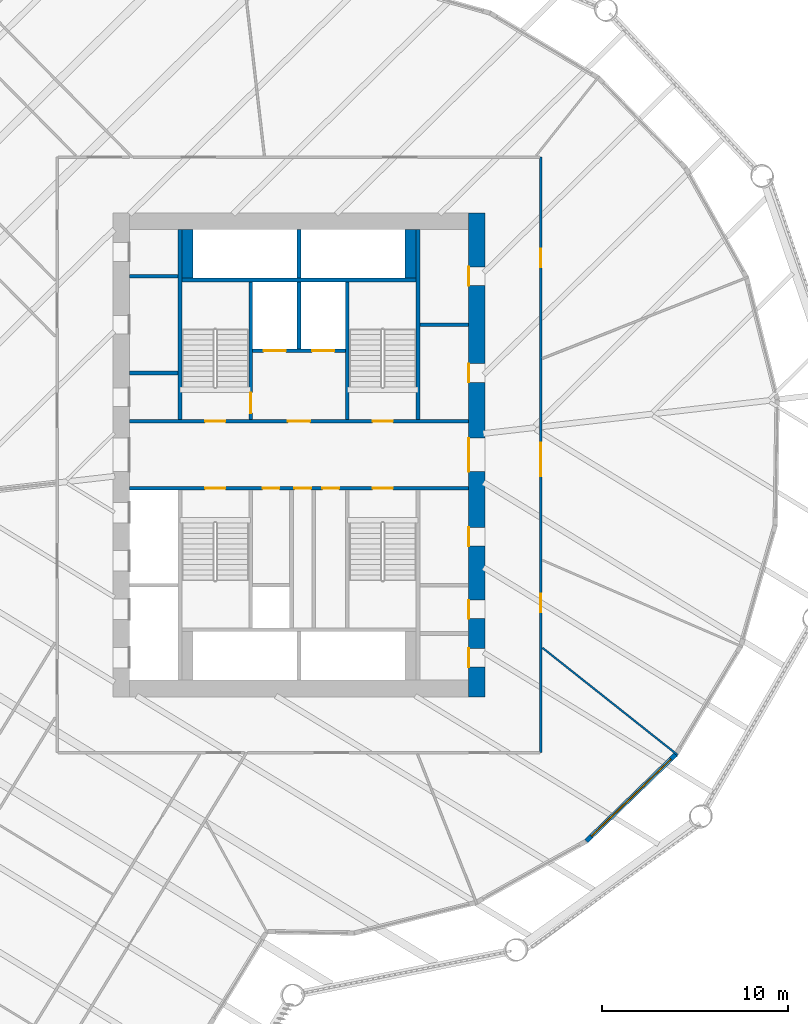
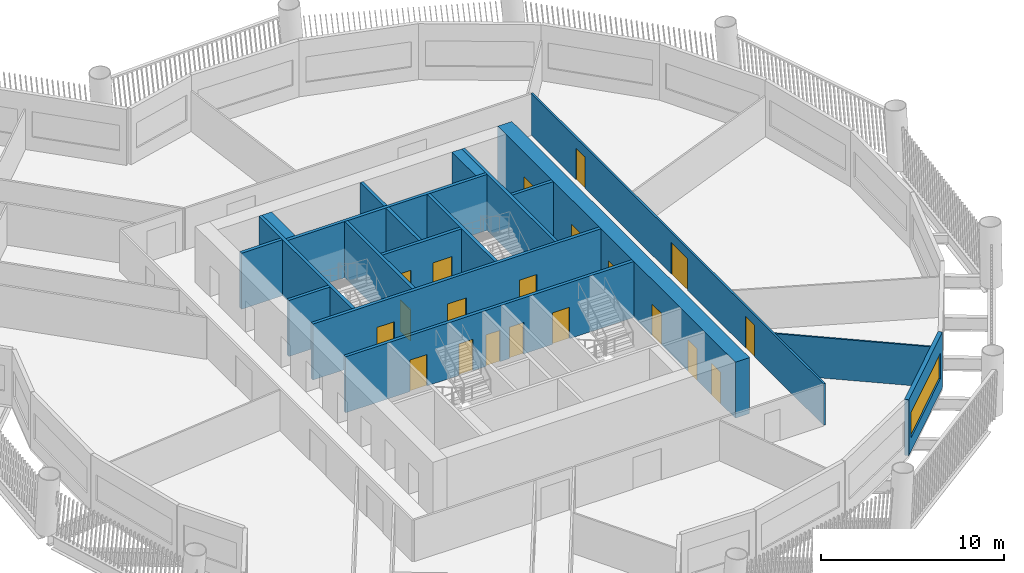
# One storey, part 5 of 15: 20 doors, 19 walls, 1 window, 21 openings.
"""IFC4 building model written with IfcOpenShell, lengths in metres."""

import ifcopenshell
import ifcopenshell.guid

model = None  # the IFC model being written
_history = None  # IfcOwnerHistory: only IFC2X3 demands one
_inside = {}  # id of a spatial element -> (the spatial element, [elements in it])
_under = {}  # id of a project, library or spatial element -> (it, [spatial elements below it])
_declared = {}  # id of a project -> (the project, [libraries it declares])
_typed = {}  # id of a type object -> (the type object, [elements of that type])
_made_of = {}  # id of a material, layer set ... -> (it, [elements and type objects made of it])


def new_model(schema):
    """Start an empty IFC model of exactly this schema.

    Asked for "IFC4X3", IfcOpenShell would pick the latest addendum, in which some entities
    have other attributes; the version numbers below select the first issue.
    IFC2X3 requires an IfcOwnerHistory on every rooted entity: one is made here for all.
    """
    global model, _history
    if schema == "IFC4X3":
        model = ifcopenshell.file(schema_version=(4, 3, 0, 0))
    else:
        model = ifcopenshell.file(schema=schema)
    _inside.clear()
    _under.clear()
    _declared.clear()
    _typed.clear()
    _made_of.clear()
    _history = None
    if model.schema == "IFC2X3":
        org = make("IfcOrganization", Name="unknown")
        user = make(
            "IfcPersonAndOrganization",
            ThePerson=make("IfcPerson", FamilyName="unknown"),
            TheOrganization=org,
        )
        app = make(
            "IfcApplication",
            ApplicationDeveloper=org,
            Version="unknown",
            ApplicationFullName="unknown",
            ApplicationIdentifier="unknown",
        )
        _history = make(
            "IfcOwnerHistory",
            OwningUser=user,
            OwningApplication=app,
            ChangeAction="ADDED",
            CreationDate=0,
        )
    return model


def make(cls, **values):
    """One entity of the class cls with the attributes given. An attribute that is None is left unset."""
    return model.create_entity(
        cls, **{name: value for name, value in values.items() if value is not None}
    )


def rooted(cls, **values):
    """An entity with a GlobalId (a new one), such as an element, a storey or a relation."""
    return make(cls, GlobalId=ifcopenshell.guid.new(), OwnerHistory=_history, **values)


def si_unit(unit_type, name, prefix=None):
    """IfcSIUnit, for example si_unit("LENGTHUNIT", "METRE", prefix="MILLI")."""
    return make("IfcSIUnit", UnitType=unit_type, Prefix=prefix, Name=name)


def assignment(units):
    """IfcUnitAssignment: the units of a project."""
    return None if units is None else make("IfcUnitAssignment", Units=units)


def point(xyz):
    """IfcCartesianPoint."""
    return None if xyz is None else make("IfcCartesianPoint", Coordinates=xyz)


def direction(xyz):
    """IfcDirection."""
    return None if xyz is None else make("IfcDirection", DirectionRatios=xyz)


def frame(location, z_axis=None, x_axis=None):
    """IfcAxis2Placement3D, a coordinate frame: its origin and axes. An axis left out is left unset."""
    return make(
        "IfcAxis2Placement3D",
        Location=point(location),
        Axis=direction(z_axis),
        RefDirection=direction(x_axis),
    )


def frame_2d(location, x_axis=None):
    """IfcAxis2Placement2D, a coordinate frame in the plane: its origin and x axis."""
    return make(
        "IfcAxis2Placement2D", Location=point(location), RefDirection=direction(x_axis)
    )


def origin():
    """The frame at (0, 0, 0) with its axes left unset."""
    return frame((0.0, 0.0, 0.0))


def place(relative_to, where):
    """IfcLocalPlacement: puts the frame where relative to a parent placement (None: the world)."""
    return make(
        "IfcLocalPlacement", PlacementRelTo=relative_to, RelativePlacement=where
    )


def context(
    kind, dimensions, precision=None, world=None, true_north=None, identifier=None
):
    """IfcGeometricRepresentationContext, for example the 3D "Model" context."""
    return make(
        "IfcGeometricRepresentationContext",
        ContextIdentifier=identifier,
        ContextType=kind,
        CoordinateSpaceDimension=dimensions,
        Precision=precision,
        WorldCoordinateSystem=world,
        TrueNorth=true_north,
    )


def subcontext(parent, identifier, kind, view, scale=None):
    """IfcGeometricRepresentationSubContext, for example "Body" below "Model"."""
    return make(
        "IfcGeometricRepresentationSubContext",
        ContextIdentifier=identifier,
        ContextType=kind,
        ParentContext=parent,
        TargetScale=scale,
        TargetView=view,
    )


def project(units=None, contexts=None):
    """IfcProject with its units and contexts."""
    return rooted(
        "IfcProject",
        Name="project",
        RepresentationContexts=contexts,
        UnitsInContext=assignment(units),
    )


def spatial(cls, under=None, at=None, **own):
    """A site, building, storey or space (cls), placed at a placement, below another one or the project."""
    s = rooted(cls, ObjectPlacement=at, **own)
    if under is not None:
        _under.setdefault(under.id(), (under, []))[1].append(s)
    return s


def profile(cls, at=None, kind="AREA", **sizes):
    """A parametric profile (cls). Its sizes go by their IFC names, for example OverallWidth=200.0."""
    return make(cls, ProfileType=kind, Position=at, **sizes)


def rectangle(**sizes):
    """IfcRectangleProfileDef."""
    return profile("IfcRectangleProfileDef", **sizes)


def extrude(swept, where, along, depth):
    """IfcExtrudedAreaSolid: the profile swept, set in the frame where, extruded along a direction by depth."""
    return make(
        "IfcExtrudedAreaSolid",
        SweptArea=swept,
        Position=where,
        ExtrudedDirection=direction(along),
        Depth=depth,
    )


def shape(context_of_items, identifier, shape_type, items):
    """IfcShapeRepresentation: the items that make up one representation, for example the "Body"."""
    return make(
        "IfcShapeRepresentation",
        ContextOfItems=context_of_items,
        RepresentationIdentifier=identifier,
        RepresentationType=shape_type,
        Items=items,
    )


def material(Name=None, Category=None):
    """IfcMaterial."""
    return make("IfcMaterial", Name=Name, Category=Category)


def layer(
    of_material, thickness, ventilated=None, Name=None, Category=None, Priority=None
):
    """IfcMaterialLayer: one layer of a wall or slab, of a material (None: an air gap)."""
    return make(
        "IfcMaterialLayer",
        Material=of_material,
        LayerThickness=thickness,
        IsVentilated=ventilated,
        Name=Name,
        Category=Category,
        Priority=Priority,
    )


def layer_set(layers, Name=None):
    """IfcMaterialLayerSet."""
    return make("IfcMaterialLayerSet", MaterialLayers=layers, LayerSetName=Name)


def made_of(thing, what):
    """Note that an element or type object is made of a material, layer set ...; save() writes the relation."""
    if what is not None:
        _made_of.setdefault(what.id(), (what, []))[1].append(thing)
    return thing


def type_object(cls, material=None, **own):
    """A type object (cls), such as IfcWallType, which elements share."""
    return made_of(rooted(cls, **own), material)


def element(
    cls,
    number,
    at=None,
    inside=None,
    cuts=None,
    type_object=None,
    material=None,
    context=None,
    identifier="Body",
    shape_type=None,
    held_by="IfcProductDefinitionShape",
    body=None,
    shapes=None,
    **own,
):
    """One element of the class cls, such as IfcWall. Its Tag is "e" and its number.

    at: its placement. inside: the storey or other place that contains it. cuts: it is an
    opening in that element (IfcRelVoidsElement). A single representation is given by context,
    identifier, shape_type and body (its items); several are given by shapes. held_by: the class
    of the entity that holds the representations. save() writes the other relations.
    """
    e = rooted(cls, Tag="e%d" % number, ObjectPlacement=at, **own)
    if body is not None:
        shapes = [shape(context, identifier, shape_type, body)]
    if shapes is not None:
        e.Representation = make(held_by, Representations=shapes)
    if inside is not None:
        _inside.setdefault(inside.id(), (inside, []))[1].append(e)
    if cuts is not None:
        rooted(
            "IfcRelVoidsElement", RelatingBuildingElement=cuts, RelatedOpeningElement=e
        )
    if type_object is not None:
        _typed.setdefault(type_object.id(), (type_object, []))[1].append(e)
    return made_of(e, material)


def fill(opening, filler):
    """IfcRelFillsElement: the door or window that sits in an opening."""
    return rooted(
        "IfcRelFillsElement",
        RelatingOpeningElement=opening,
        RelatedBuildingElement=filler,
    )


def aggregate(whole, parts):
    """IfcRelAggregates: a whole, such as a stair, and the parts it consists of."""
    return rooted("IfcRelAggregates", RelatingObject=whole, RelatedObjects=parts)


def save(model, path):
    """Write the relations noted so far, then the file.

    IfcRelAggregates (storeys below a building ...), IfcRelContainedInSpatialStructure (elements
    in a storey), IfcRelDefinesByType, IfcRelAssociatesMaterial and IfcRelDeclares: one each for
    every whole, place, type object, material and project.
    """
    for whole, parts in _under.values():
        aggregate(whole, parts)
    for where, things in _inside.values():
        rooted(
            "IfcRelContainedInSpatialStructure",
            RelatedElements=things,
            RelatingStructure=where,
        )
    for kind, things in _typed.values():
        rooted("IfcRelDefinesByType", RelatedObjects=things, RelatingType=kind)
    for what, things in _made_of.values():
        rooted("IfcRelAssociatesMaterial", RelatedObjects=things, RelatingMaterial=what)
    for by, libraries in _declared.values():
        rooted("IfcRelDeclares", RelatingContext=by, RelatedDefinitions=libraries)
    model.write(path)


model = new_model("IFC4")

# Units and contexts
model_context = context("Model", 3, precision=1e-05, world=origin(), true_north=direction((0.0, 1.0)))
body_context = subcontext(model_context, "Body", "Model", "MODEL_VIEW")
ifc_project = project(units=[si_unit("LENGTHUNIT", "METRE"), si_unit("AREAUNIT", "SQUARE_METRE"), si_unit("VOLUMEUNIT", "CUBIC_METRE"), si_unit("PLANEANGLEUNIT", "RADIAN"), si_unit("MASSUNIT", "GRAM", prefix="KILO")], contexts=[model_context])

# Site, building, storey
site_placement = place(None, origin())
site = spatial("IfcSite", under=ifc_project, at=site_placement, CompositionType="ELEMENT")
building_placement = place(site_placement, origin())
building = spatial("IfcBuilding", under=site, at=building_placement, Name="Tarsis Ring Headquarters", CompositionType="ELEMENT")
storey_placement = place(building_placement, frame((0.0, 0.0, 75.10009765625)))
storey = spatial("IfcBuildingStorey", under=building, at=storey_placement, Name="L16", CompositionType="ELEMENT", Elevation=75.10009765625)

# Walls
ifc_material_1 = material(Name="Blockwork", Category="masonry")
ifc_layer_1 = layer(ifc_material_1, 0.199951171875)
ifc_layer_set_1 = layer_set([ifc_layer_1], Name="Core blockwork wall 200")
wall_type_1 = type_object("IfcWallType", Name="Core blockwork wall 200", PredefinedType="PARTITIONING", material=ifc_layer_set_1)
for number, where, z_axis, x_axis, name in (
    (1, (-9.10009765625, 4.39990234375, 0.0), (0.0, 0.0, 1.0), (1.0, 0.0, 0.0), "Core partition WD5"),
    (2, (-9.10009765625, 9.60009765625, 0.0), (0.0, 0.0, 1.0), (1.0, 0.0, 0.0), "Core partition WD7"),
    (3, (6.5, 7.0, 0.0), (0.0, 0.0, 1.0), (1.0, 0.0, 0.0), "Core partition ED6"),
):
    element("IfcWall", number, at=place(storey_placement, frame(where, z_axis=z_axis, x_axis=x_axis)), inside=storey, type_object=wall_type_1, Name=name, PredefinedType="PARTITIONING", context=body_context, shape_type="SweptSolid", body=[
        extrude(rectangle(XDim=2.60009765625, YDim=0.199951171875, at=frame_2d((1.300048828125, 0.0))), origin(), (0.0, 0.0, 1.0), 3.739990234375),
    ])

# Wall, openings, doors
ifc_material_2 = material(Name="Concrete C60/75", Category="concrete")
ifc_layer_2 = layer(ifc_material_2, 0.89990234375)
ifc_layer_set_2 = layer_set([ifc_layer_2], Name="Core wall 900 C60/75")
wall_type_2 = type_object("IfcWallType", Name="Core wall 900 C60/75", PredefinedType="SHEAR", material=ifc_layer_set_2)
wall_1_placement = place(storey_placement, frame((9.550048828125, -13.0, 0.0), z_axis=(0.0, 0.0, 1.0), x_axis=(0.0, 1.0, 0.0)))
wall_1 = element("IfcWall", 4, at=wall_1_placement, inside=storey, type_object=wall_type_2, Name="Core wall OE", PredefinedType="SHEAR", context=body_context, shape_type="SweptSolid", body=[
    extrude(rectangle(XDim=26.0, YDim=0.89990234375, at=frame_2d((13.0, 0.0))), origin(), (0.0, 0.0, 1.0), 3.739990234375),
])
opening_1_placement = place(wall_1_placement, frame((1.60009765625, 0.0, 0.0)))
opening_1 = element("IfcOpeningElement", 5, at=opening_1_placement, cuts=wall_1, Name="Opening L16-C09", PredefinedType="OPENING", context=body_context, shape_type="SweptSolid", body=[
    extrude(rectangle(XDim=1.0, YDim=2.10009765625, at=frame_2d((0.5, 1.050048828125))), frame((0.0, 0.4599609375, 0.0), z_axis=(0.0, -1.0, 0.0), x_axis=(1.0, 0.0, 0.0)), (0.0, 0.0, 1.0), 0.919921875),
])
opening_2_placement = place(wall_1_placement, frame((4.199951171875, 0.0, 0.0)))
opening_2 = element("IfcOpeningElement", 6, at=opening_2_placement, cuts=wall_1, Name="Opening L16-C10", PredefinedType="OPENING", context=body_context, shape_type="SweptSolid", body=[
    extrude(rectangle(XDim=1.0, YDim=2.10009765625, at=frame_2d((0.5, 1.050048828125))), frame((0.0, 0.4599609375, 0.0), z_axis=(0.0, -1.0, 0.0), x_axis=(1.0, 0.0, 0.0)), (0.0, 0.0, 1.0), 0.919921875),
])
opening_3_placement = place(wall_1_placement, frame((8.10009765625, 0.0, 0.0)))
opening_3 = element("IfcOpeningElement", 7, at=opening_3_placement, cuts=wall_1, Name="Opening L16-C11", PredefinedType="OPENING", context=body_context, shape_type="SweptSolid", body=[
    extrude(rectangle(XDim=1.0, YDim=2.10009765625, at=frame_2d((0.5, 1.050048828125))), frame((0.0, 0.4599609375, 0.0), z_axis=(0.0, -1.0, 0.0), x_axis=(1.0, 0.0, 0.0)), (0.0, 0.0, 1.0), 0.919921875),
])
opening_4_placement = place(wall_1_placement, frame((12.10009765625, 0.0, 0.0)))
opening_4 = element("IfcOpeningElement", 8, at=opening_4_placement, cuts=wall_1, Name="Opening L16-C12", PredefinedType="OPENING", context=body_context, shape_type="SweptSolid", body=[
    extrude(rectangle(XDim=1.800048828125, YDim=2.10009765625, at=frame_2d((0.89990234375, 1.050048828125))), frame((0.0, 0.4599609375, 0.0), z_axis=(0.0, -1.0, 0.0), x_axis=(1.0, 0.0, 0.0)), (0.0, 0.0, 1.0), 0.919921875),
])
opening_5_placement = place(wall_1_placement, frame((16.89990234375, 0.0, 0.0)))
opening_5 = element("IfcOpeningElement", 9, at=opening_5_placement, cuts=wall_1, Name="Opening L16-C13", PredefinedType="OPENING", context=body_context, shape_type="SweptSolid", body=[
    extrude(rectangle(XDim=1.0, YDim=2.10009765625, at=frame_2d((0.5, 1.050048828125))), frame((0.0, 0.4599609375, 0.0), z_axis=(0.0, -1.0, 0.0), x_axis=(1.0, 0.0, 0.0)), (0.0, 0.0, 1.0), 0.919921875),
])
opening_6_placement = place(wall_1_placement, frame((22.10009765625, 0.0, 0.0)))
opening_6 = element("IfcOpeningElement", 10, at=opening_6_placement, cuts=wall_1, Name="Opening L16-C14", PredefinedType="OPENING", context=body_context, shape_type="SweptSolid", body=[
    extrude(rectangle(XDim=1.0, YDim=2.10009765625, at=frame_2d((0.5, 1.050048828125))), frame((0.0, 0.4599609375, 0.0), z_axis=(0.0, -1.0, 0.0), x_axis=(1.0, 0.0, 0.0)), (0.0, 0.0, 1.0), 0.919921875),
])
ifc_material_3 = material(Name="Steel S355", Category="steel")
door_type_1 = type_object("IfcDoorType", Name="Core entry door 1800x2100", OperationType="DOUBLE_DOOR_SINGLE_SWING", PredefinedType="DOOR", material=ifc_material_3)
door_1_placement = place(opening_4_placement, origin())
door_1 = element("IfcDoor", 11, at=door_1_placement, inside=storey, type_object=door_type_1, Name="Core entry door L16", OperationType="DOUBLE_DOOR_SINGLE_SWING", OverallHeight=2.10009765625, OverallWidth=1.800048828125, PredefinedType="DOOR", context=body_context, shape_type="SweptSolid", body=[
    extrude(rectangle(XDim=1.800048828125, YDim=2.10009765625, at=frame_2d((0.89990234375, 1.050048828125))), frame((0.0, 0.4501953125, 0.0), z_axis=(0.0, -1.0, 0.0), x_axis=(1.0, 0.0, 0.0)), (0.0, 0.0, 1.0), 0.050048828125),
])
fill(opening_4, door_1)
door_type_2 = type_object("IfcDoorType", Name="Core room door 1000x2100", OperationType="SINGLE_SWING_LEFT", PredefinedType="DOOR", material=ifc_material_3)
door_2_placement = place(opening_1_placement, origin())
door_2 = element("IfcDoor", 12, at=door_2_placement, inside=storey, type_object=door_type_2, Name="Core room door L16", OperationType="SINGLE_SWING_LEFT", OverallHeight=2.10009765625, OverallWidth=1.0, PredefinedType="DOOR", context=body_context, shape_type="SweptSolid", body=[
    extrude(rectangle(XDim=1.0, YDim=2.10009765625, at=frame_2d((0.5, 1.050048828125))), frame((0.0, 0.4501953125, 0.0), z_axis=(0.0, -1.0, 0.0), x_axis=(1.0, 0.0, 0.0)), (0.0, 0.0, 1.0), 0.050048828125),
])
fill(opening_1, door_2)
door_3_placement = place(opening_2_placement, origin())
door_3 = element("IfcDoor", 13, at=door_3_placement, inside=storey, type_object=door_type_2, Name="Core room door L16", OperationType="SINGLE_SWING_LEFT", OverallHeight=2.10009765625, OverallWidth=1.0, PredefinedType="DOOR", context=body_context, shape_type="SweptSolid", body=[
    extrude(rectangle(XDim=1.0, YDim=2.10009765625, at=frame_2d((0.5, 1.050048828125))), frame((0.0, 0.4501953125, 0.0), z_axis=(0.0, -1.0, 0.0), x_axis=(1.0, 0.0, 0.0)), (0.0, 0.0, 1.0), 0.050048828125),
])
fill(opening_2, door_3)
door_4_placement = place(opening_3_placement, origin())
door_4 = element("IfcDoor", 14, at=door_4_placement, inside=storey, type_object=door_type_2, Name="Core room door L16", OperationType="SINGLE_SWING_LEFT", OverallHeight=2.10009765625, OverallWidth=1.0, PredefinedType="DOOR", context=body_context, shape_type="SweptSolid", body=[
    extrude(rectangle(XDim=1.0, YDim=2.10009765625, at=frame_2d((0.5, 1.050048828125))), frame((0.0, 0.4501953125, 0.0), z_axis=(0.0, -1.0, 0.0), x_axis=(1.0, 0.0, 0.0)), (0.0, 0.0, 1.0), 0.050048828125),
])
fill(opening_3, door_4)
door_5_placement = place(opening_5_placement, origin())
door_5 = element("IfcDoor", 15, at=door_5_placement, inside=storey, type_object=door_type_2, Name="Core room door L16", OperationType="SINGLE_SWING_LEFT", OverallHeight=2.10009765625, OverallWidth=1.0, PredefinedType="DOOR", context=body_context, shape_type="SweptSolid", body=[
    extrude(rectangle(XDim=1.0, YDim=2.10009765625, at=frame_2d((0.5, 1.050048828125))), frame((0.0, 0.4501953125, 0.0), z_axis=(0.0, -1.0, 0.0), x_axis=(1.0, 0.0, 0.0)), (0.0, 0.0, 1.0), 0.050048828125),
])
fill(opening_5, door_5)
door_6_placement = place(opening_6_placement, origin())
door_6 = element("IfcDoor", 16, at=door_6_placement, inside=storey, type_object=door_type_2, Name="Core room door L16", OperationType="SINGLE_SWING_LEFT", OverallHeight=2.10009765625, OverallWidth=1.0, PredefinedType="DOOR", context=body_context, shape_type="SweptSolid", body=[
    extrude(rectangle(XDim=1.0, YDim=2.10009765625, at=frame_2d((0.5, 1.050048828125))), frame((0.0, 0.4501953125, 0.0), z_axis=(0.0, -1.0, 0.0), x_axis=(1.0, 0.0, 0.0)), (0.0, 0.0, 1.0), 0.050048828125),
])
fill(opening_6, door_6)

# Wall
ifc_material_4 = material(Name="Gypsum board on steel studs", Category="steel")
ifc_layer_3 = layer(ifc_material_4, 0.10009765625)
ifc_layer_set_3 = layer_set([ifc_layer_3], Name="FL partition 100 unrated")
wall_type_3 = type_object("IfcWallType", Name="FL partition 100 unrated", PredefinedType="PARTITIONING", material=ifc_layer_set_3)
wall_2_placement = place(storey_placement, frame((13.086181640625, -10.3720703125, 0.0), z_axis=(0.0, 0.0, 1.0), x_axis=(0.783701027739, -0.621138228674, 0.0)))
element("IfcWall", 17, at=wall_2_placement, inside=storey, type_object=wall_type_3, Name="Partition PW3", PredefinedType="PARTITIONING", context=body_context, shape_type="SweptSolid", body=[
    extrude(rectangle(XDim=9.249755859375, YDim=0.10009765625, at=frame_2d((4.625, 0.0))), origin(), (0.0, 0.0, 1.0), 2.699951171875),
])

# Wall, openings, doors
ifc_layer_4 = layer(ifc_material_4, 0.125)
ifc_layer_set_4 = layer_set([ifc_layer_4], Name="FL partition 125 EI 60 H2770")
wall_type_4 = type_object("IfcWallType", Name="FL partition 125 EI 60 H2770", PredefinedType="PARTITIONING", material=ifc_layer_set_4)
wall_3_placement = place(storey_placement, frame((13.0, -16.0, 0.0), z_axis=(0.0, 0.0, 1.0), x_axis=(0.0, 1.0, 0.0)))
wall_3 = element("IfcWall", 18, at=wall_3_placement, inside=storey, type_object=wall_type_4, Name="Partition PW1", PredefinedType="PARTITIONING", context=body_context, shape_type="SweptSolid", body=[
    extrude(rectangle(XDim=32.0, YDim=0.125, at=frame_2d((16.0, 0.0))), origin(), (0.0, 0.0, 1.0), 2.77001953125),
])
opening_7_placement = place(wall_3_placement, frame((26.073486328125, 0.0, 0.0)))
opening_7 = element("IfcOpeningElement", 19, at=opening_7_placement, cuts=wall_3, Name="Opening D16.06", PredefinedType="OPENING", context=body_context, shape_type="SweptSolid", body=[
    extrude(rectangle(XDim=1.0, YDim=2.10009765625, at=frame_2d((0.5, 1.050048828125))), frame((0.0, 0.072509765625, 0.0), z_axis=(0.0, -1.0, 0.0), x_axis=(1.0, 0.0, 0.0)), (0.0, 0.0, 1.0), 0.14501953125),
])
opening_8_placement = place(wall_3_placement, frame((14.860595703125, 0.0, 0.0)))
opening_8 = element("IfcOpeningElement", 20, at=opening_8_placement, cuts=wall_3, Name="Opening D16.07", PredefinedType="OPENING", context=body_context, shape_type="SweptSolid", body=[
    extrude(rectangle(XDim=1.800048828125, YDim=2.10009765625, at=frame_2d((0.89990234375, 1.050048828125))), frame((0.0, 0.072509765625, 0.0), z_axis=(0.0, -1.0, 0.0), x_axis=(1.0, 0.0, 0.0)), (0.0, 0.0, 1.0), 0.14501953125),
])
opening_9_placement = place(wall_3_placement, frame((7.535400390625, 0.0, 0.0)))
opening_9 = element("IfcOpeningElement", 21, at=opening_9_placement, cuts=wall_3, Name="Opening D16.08", PredefinedType="OPENING", context=body_context, shape_type="SweptSolid", body=[
    extrude(rectangle(XDim=1.0, YDim=2.10009765625, at=frame_2d((0.5, 1.050048828125))), frame((0.0, 0.072509765625, 0.0), z_axis=(0.0, -1.0, 0.0), x_axis=(1.0, 0.0, 0.0)), (0.0, 0.0, 1.0), 0.14501953125),
])
ifc_material_5 = material(Name="Fire-rated timber door leaf in steel frame", Category="steel")
door_type_3 = type_object("IfcDoorType", Name="FL door FD60-1000", OperationType="NOTDEFINED", PredefinedType="DOOR", material=ifc_material_5)
door_7_placement = place(opening_7_placement, origin())
door_7 = element("IfcDoor", 22, at=door_7_placement, inside=storey, type_object=door_type_3, Name="Door D16.06", OperationType="SINGLE_SWING_RIGHT", OverallHeight=2.10009765625, OverallWidth=1.0, PredefinedType="DOOR", context=body_context, shape_type="SweptSolid", body=[
    extrude(rectangle(XDim=1.0, YDim=2.10009765625, at=frame_2d((0.5, 1.050048828125))), frame((0.0, 0.02490234375, 0.0), z_axis=(0.0, -1.0, 0.0), x_axis=(1.0, 0.0, 0.0)), (0.0, 0.0, 1.0), 0.050048828125),
])
fill(opening_7, door_7)
door_8_placement = place(opening_9_placement, origin())
door_8 = element("IfcDoor", 23, at=door_8_placement, inside=storey, type_object=door_type_3, Name="Door D16.08", OperationType="SINGLE_SWING_RIGHT", OverallHeight=2.10009765625, OverallWidth=1.0, PredefinedType="DOOR", context=body_context, shape_type="SweptSolid", body=[
    extrude(rectangle(XDim=1.0, YDim=2.10009765625, at=frame_2d((0.5, 1.050048828125))), frame((0.0, 0.02490234375, 0.0), z_axis=(0.0, -1.0, 0.0), x_axis=(1.0, 0.0, 0.0)), (0.0, 0.0, 1.0), 0.050048828125),
])
fill(opening_9, door_8)
door_type_4 = type_object("IfcDoorType", Name="FL door FD60-1800", OperationType="DOUBLE_DOOR_SINGLE_SWING", PredefinedType="DOOR", material=ifc_material_5)
door_9_placement = place(opening_8_placement, origin())
door_9 = element("IfcDoor", 24, at=door_9_placement, inside=storey, type_object=door_type_4, Name="Door D16.07", OperationType="DOUBLE_DOOR_SINGLE_SWING", OverallHeight=2.10009765625, OverallWidth=1.800048828125, PredefinedType="DOOR", context=body_context, shape_type="SweptSolid", body=[
    extrude(rectangle(XDim=1.800048828125, YDim=2.10009765625, at=frame_2d((0.89990234375, 1.050048828125))), frame((0.0, 0.02490234375, 0.0), z_axis=(0.0, -1.0, 0.0), x_axis=(1.0, 0.0, 0.0)), (0.0, 0.0, 1.0), 0.050048828125),
])
fill(opening_8, door_9)

# Wall, opening, window
ifc_material_6 = material(Name="Terracotta clad insulated panel wall", Category="masonry")
ifc_layer_5 = layer(ifc_material_6, 0.25)
ifc_layer_set_5 = layer_set([ifc_layer_5], Name="Facade wall terracotta panel 250")
wall_type_5 = type_object("IfcWallType", Name="Facade wall terracotta panel 250", PredefinedType="STANDARD", material=ifc_layer_set_5)
wall_4_placement = place(storey_placement, frame((15.4384765625, -20.760498046875, 0.0), z_axis=(0.0, 0.0, 1.0), x_axis=(0.71813413781, 0.695904706201, 0.0)))
wall_4 = element("IfcWall", 25, at=wall_4_placement, inside=storey, type_object=wall_type_5, Name="External wall L16-20", PredefinedType="STANDARD", context=body_context, shape_type="SweptSolid", body=[
    extrude(rectangle(XDim=6.721435546875, YDim=0.25, at=frame_2d((3.36083984375, 0.0))), origin(), (0.0, 0.0, 1.0), 3.739990234375),
])
opening_10_placement = place(wall_4_placement, frame((0.3857421875, 0.0, 0.89990234375)))
opening_10 = element("IfcOpeningElement", 26, at=opening_10_placement, cuts=wall_4, Name="Opening WN07", PredefinedType="OPENING", context=body_context, shape_type="SweptSolid", body=[
    extrude(rectangle(XDim=5.949951171875, YDim=1.699951171875, at=frame_2d((2.97509765625, 0.85009765625))), frame((0.0, 0.135009765625, 0.0), z_axis=(0.0, -1.0, 0.0), x_axis=(1.0, 0.0, 0.0)), (0.0, 0.0, 1.0), 0.27001953125),
])
ifc_material_7 = material(Name="Aluminium framed double glazing", Category="aluminium")
window_type = type_object("IfcWindowType", Name="Facade window 5950 x 1700", PartitioningType="SINGLE_PANEL", PredefinedType="WINDOW", material=ifc_material_7)
window_placement = place(opening_10_placement, origin())
window = element("IfcWindow", 27, at=window_placement, inside=storey, type_object=window_type, Name="Window L16-20.1", OverallHeight=1.699951171875, OverallWidth=5.949951171875, PartitioningType="SINGLE_PANEL", PredefinedType="WINDOW", context=body_context, shape_type="SweptSolid", body=[
    extrude(rectangle(XDim=5.949951171875, YDim=1.699951171875, at=frame_2d((2.97509765625, 0.85009765625))), frame((0.0, 0.030029296875, 0.0), z_axis=(0.0, -1.0, 0.0), x_axis=(1.0, 0.0, 0.0)), (0.0, 0.0, 1.0), 0.06005859375),
])
fill(opening_10, window)

# Walls
ifc_material_8 = material(Name="Concrete C32/40", Category="concrete")
ifc_layer_6 = layer(ifc_material_8, 0.60009765625)
ifc_layer_set_6 = layer_set([ifc_layer_6], Name="Shaft end wall 600 C32/40")
wall_type_6 = type_object("IfcWallType", Name="Shaft end wall 600 C32/40", PredefinedType="SOLIDWALL", material=ifc_layer_set_6)
for number, where, z_axis, x_axis, name in (
    (28, (-6.0, 9.5, 0.0), (0.0, 0.0, 1.0), (0.0, 1.0, 0.0), "Core shaft wall NNE1"),
    (29, (6.0, 9.5, 0.0), (0.0, 0.0, 1.0), (0.0, 1.0, 0.0), "Core shaft wall NNE2"),
):
    element("IfcWall", number, at=place(storey_placement, frame(where, z_axis=z_axis, x_axis=x_axis)), inside=storey, type_object=wall_type_6, Name=name, PredefinedType="SOLIDWALL", context=body_context, shape_type="SweptSolid", body=[
        extrude(rectangle(XDim=2.60009765625, YDim=0.60009765625, at=frame_2d((1.300048828125, 0.0))), origin(), (0.0, 0.0, 1.0), 3.739990234375),
    ])

# Wall, openings, doors
ifc_layer_7 = layer(ifc_material_8, 0.199951171875)
ifc_layer_set_7 = layer_set([ifc_layer_7], Name="Shaft wall 200 C32/40")
wall_type_7 = type_object("IfcWallType", Name="Shaft wall 200 C32/40", PredefinedType="SOLIDWALL", material=ifc_layer_set_7)
wall_5_placement = place(storey_placement, frame((-9.10009765625, 1.800048828125, 0.0), z_axis=(0.0, 0.0, 1.0), x_axis=(1.0, 0.0, 0.0)))
wall_5 = element("IfcWall", 30, at=wall_5_placement, inside=storey, type_object=wall_type_7, Name="Core shaft wall CN", PredefinedType="SOLIDWALL", context=body_context, shape_type="SweptSolid", body=[
    extrude(rectangle(XDim=18.2001953125, YDim=0.199951171875, at=frame_2d((9.10009765625, 0.0))), origin(), (0.0, 0.0, 1.0), 3.739990234375),
])
opening_11_placement = place(wall_5_placement, frame((4.050048828125, 0.0, 0.0)))
opening_11 = element("IfcOpeningElement", 31, at=opening_11_placement, cuts=wall_5, Name="Opening L16-C15", PredefinedType="OPENING", context=body_context, shape_type="SweptSolid", body=[
    extrude(rectangle(XDim=1.10009765625, YDim=2.10009765625, at=frame_2d((0.550048828125, 1.050048828125))), frame((0.0, 0.10986328125, 0.0), z_axis=(0.0, -1.0, 0.0), x_axis=(1.0, 0.0, 0.0)), (0.0, 0.0, 1.0), 0.219970703125),
])
opening_12_placement = place(wall_5_placement, frame((8.5, 0.0, 0.0)))
opening_12 = element("IfcOpeningElement", 32, at=opening_12_placement, cuts=wall_5, Name="Opening L16-C16", PredefinedType="OPENING", context=body_context, shape_type="SweptSolid", body=[
    extrude(rectangle(XDim=1.199951171875, YDim=2.10009765625, at=frame_2d((0.60009765625, 1.050048828125))), frame((0.0, 0.10986328125, 0.0), z_axis=(0.0, -1.0, 0.0), x_axis=(1.0, 0.0, 0.0)), (0.0, 0.0, 1.0), 0.219970703125),
])
opening_13_placement = place(wall_5_placement, frame((13.050048828125, 0.0, 0.0)))
opening_13 = element("IfcOpeningElement", 33, at=opening_13_placement, cuts=wall_5, Name="Opening L16-C17", PredefinedType="OPENING", context=body_context, shape_type="SweptSolid", body=[
    extrude(rectangle(XDim=1.10009765625, YDim=2.10009765625, at=frame_2d((0.550048828125, 1.050048828125))), frame((0.0, 0.10986328125, 0.0), z_axis=(0.0, -1.0, 0.0), x_axis=(1.0, 0.0, 0.0)), (0.0, 0.0, 1.0), 0.219970703125),
])
door_type_5 = type_object("IfcDoorType", Name="Firefighting lobby door 1200x2100", OperationType="DOUBLE_DOOR_SINGLE_SWING", PredefinedType="DOOR", material=ifc_material_3)
door_10_placement = place(opening_12_placement, origin())
door_10 = element("IfcDoor", 34, at=door_10_placement, inside=storey, type_object=door_type_5, Name="Firefighting lobby door L16", OperationType="DOUBLE_DOOR_SINGLE_SWING", OverallHeight=2.10009765625, OverallWidth=1.199951171875, PredefinedType="DOOR", context=body_context, shape_type="SweptSolid", body=[
    extrude(rectangle(XDim=1.199951171875, YDim=2.10009765625, at=frame_2d((0.60009765625, 1.050048828125))), frame((0.0, 0.02490234375, 0.0), z_axis=(0.0, -1.0, 0.0), x_axis=(1.0, 0.0, 0.0)), (0.0, 0.0, 1.0), 0.050048828125),
])
fill(opening_12, door_10)
door_type_6 = type_object("IfcDoorType", Name="Stair door 1100x2100", OperationType="SINGLE_SWING_LEFT", PredefinedType="DOOR", material=ifc_material_3)
door_11_placement = place(opening_11_placement, origin())
door_11 = element("IfcDoor", 35, at=door_11_placement, inside=storey, type_object=door_type_6, Name="Stair door L16", OperationType="SINGLE_SWING_LEFT", OverallHeight=2.10009765625, OverallWidth=1.10009765625, PredefinedType="DOOR", context=body_context, shape_type="SweptSolid", body=[
    extrude(rectangle(XDim=1.10009765625, YDim=2.10009765625, at=frame_2d((0.550048828125, 1.050048828125))), frame((0.0, 0.02490234375, 0.0), z_axis=(0.0, -1.0, 0.0), x_axis=(1.0, 0.0, 0.0)), (0.0, 0.0, 1.0), 0.050048828125),
])
fill(opening_11, door_11)
door_12_placement = place(opening_13_placement, origin())
door_12 = element("IfcDoor", 36, at=door_12_placement, inside=storey, type_object=door_type_6, Name="Stair door L16", OperationType="SINGLE_SWING_LEFT", OverallHeight=2.10009765625, OverallWidth=1.10009765625, PredefinedType="DOOR", context=body_context, shape_type="SweptSolid", body=[
    extrude(rectangle(XDim=1.10009765625, YDim=2.10009765625, at=frame_2d((0.550048828125, 1.050048828125))), frame((0.0, 0.02490234375, 0.0), z_axis=(0.0, -1.0, 0.0), x_axis=(1.0, 0.0, 0.0)), (0.0, 0.0, 1.0), 0.050048828125),
])
fill(opening_13, door_12)

wall_6_placement = place(storey_placement, frame((-9.10009765625, -1.800048828125, 0.0), z_axis=(0.0, 0.0, 1.0), x_axis=(1.0, 0.0, 0.0)))
wall_6 = element("IfcWall", 37, at=wall_6_placement, inside=storey, type_object=wall_type_7, Name="Core shaft wall CS", PredefinedType="SOLIDWALL", context=body_context, shape_type="SweptSolid", body=[
    extrude(rectangle(XDim=18.2001953125, YDim=0.199951171875, at=frame_2d((9.10009765625, 0.0))), origin(), (0.0, 0.0, 1.0), 3.739990234375),
])
opening_14_placement = place(wall_6_placement, frame((4.050048828125, 0.0, 0.0)))
opening_14 = element("IfcOpeningElement", 38, at=opening_14_placement, cuts=wall_6, Name="Opening L16-C18", PredefinedType="OPENING", context=body_context, shape_type="SweptSolid", body=[
    extrude(rectangle(XDim=1.10009765625, YDim=2.10009765625, at=frame_2d((0.550048828125, 1.050048828125))), frame((0.0, 0.10986328125, 0.0), z_axis=(0.0, -1.0, 0.0), x_axis=(1.0, 0.0, 0.0)), (0.0, 0.0, 1.0), 0.219970703125),
])
opening_15_placement = place(wall_6_placement, frame((7.14990234375, 0.0, 0.0)))
opening_15 = element("IfcOpeningElement", 39, at=opening_15_placement, cuts=wall_6, Name="Opening L16-C19", PredefinedType="OPENING", context=body_context, shape_type="SweptSolid", body=[
    extrude(rectangle(XDim=0.89990234375, YDim=2.10009765625, at=frame_2d((0.449951171875, 1.050048828125))), frame((0.0, 0.10986328125, 0.0), z_axis=(0.0, -1.0, 0.0), x_axis=(1.0, 0.0, 0.0)), (0.0, 0.0, 1.0), 0.219970703125),
])
opening_16_placement = place(wall_6_placement, frame((8.85009765625, 0.0, 0.0)))
opening_16 = element("IfcOpeningElement", 40, at=opening_16_placement, cuts=wall_6, Name="Opening L16-C20", PredefinedType="OPENING", context=body_context, shape_type="SweptSolid", body=[
    extrude(rectangle(XDim=0.89990234375, YDim=2.10009765625, at=frame_2d((0.449951171875, 1.050048828125))), frame((0.0, 0.10986328125, 0.0), z_axis=(0.0, -1.0, 0.0), x_axis=(1.0, 0.0, 0.0)), (0.0, 0.0, 1.0), 0.219970703125),
])
opening_17_placement = place(wall_6_placement, frame((10.35009765625, 0.0, 0.0)))
opening_17 = element("IfcOpeningElement", 41, at=opening_17_placement, cuts=wall_6, Name="Opening L16-C21", PredefinedType="OPENING", context=body_context, shape_type="SweptSolid", body=[
    extrude(rectangle(XDim=0.89990234375, YDim=2.10009765625, at=frame_2d((0.449951171875, 1.050048828125))), frame((0.0, 0.10986328125, 0.0), z_axis=(0.0, -1.0, 0.0), x_axis=(1.0, 0.0, 0.0)), (0.0, 0.0, 1.0), 0.219970703125),
])
opening_18_placement = place(wall_6_placement, frame((13.050048828125, 0.0, 0.0)))
opening_18 = element("IfcOpeningElement", 42, at=opening_18_placement, cuts=wall_6, Name="Opening L16-C22", PredefinedType="OPENING", context=body_context, shape_type="SweptSolid", body=[
    extrude(rectangle(XDim=1.10009765625, YDim=2.10009765625, at=frame_2d((0.550048828125, 1.050048828125))), frame((0.0, 0.10986328125, 0.0), z_axis=(0.0, -1.0, 0.0), x_axis=(1.0, 0.0, 0.0)), (0.0, 0.0, 1.0), 0.219970703125),
])
door_13_placement = place(opening_14_placement, origin())
door_13 = element("IfcDoor", 43, at=door_13_placement, inside=storey, type_object=door_type_6, Name="Stair door L16", OperationType="SINGLE_SWING_LEFT", OverallHeight=2.10009765625, OverallWidth=1.10009765625, PredefinedType="DOOR", context=body_context, shape_type="SweptSolid", body=[
    extrude(rectangle(XDim=1.10009765625, YDim=2.10009765625, at=frame_2d((0.550048828125, 1.050048828125))), frame((0.0, 0.02490234375, 0.0), z_axis=(0.0, -1.0, 0.0), x_axis=(1.0, 0.0, 0.0)), (0.0, 0.0, 1.0), 0.050048828125),
])
fill(opening_14, door_13)
door_14_placement = place(opening_18_placement, origin())
door_14 = element("IfcDoor", 44, at=door_14_placement, inside=storey, type_object=door_type_6, Name="Stair door L16", OperationType="SINGLE_SWING_LEFT", OverallHeight=2.10009765625, OverallWidth=1.10009765625, PredefinedType="DOOR", context=body_context, shape_type="SweptSolid", body=[
    extrude(rectangle(XDim=1.10009765625, YDim=2.10009765625, at=frame_2d((0.550048828125, 1.050048828125))), frame((0.0, 0.02490234375, 0.0), z_axis=(0.0, -1.0, 0.0), x_axis=(1.0, 0.0, 0.0)), (0.0, 0.0, 1.0), 0.050048828125),
])
fill(opening_18, door_14)
door_type_7 = type_object("IfcDoorType", Name="WC door 900x2100", OperationType="SINGLE_SWING_LEFT", PredefinedType="DOOR", material=ifc_material_3)
door_15_placement = place(opening_15_placement, origin())
door_15 = element("IfcDoor", 45, at=door_15_placement, inside=storey, type_object=door_type_7, Name="WC door L16", OperationType="SINGLE_SWING_LEFT", OverallHeight=2.10009765625, OverallWidth=0.89990234375, PredefinedType="DOOR", context=body_context, shape_type="SweptSolid", body=[
    extrude(rectangle(XDim=0.89990234375, YDim=2.10009765625, at=frame_2d((0.449951171875, 1.050048828125))), frame((0.0, 0.02490234375, 0.0), z_axis=(0.0, -1.0, 0.0), x_axis=(1.0, 0.0, 0.0)), (0.0, 0.0, 1.0), 0.050048828125),
])
fill(opening_15, door_15)
door_16_placement = place(opening_16_placement, origin())
door_16 = element("IfcDoor", 46, at=door_16_placement, inside=storey, type_object=door_type_7, Name="WC door L16", OperationType="SINGLE_SWING_LEFT", OverallHeight=2.10009765625, OverallWidth=0.89990234375, PredefinedType="DOOR", context=body_context, shape_type="SweptSolid", body=[
    extrude(rectangle(XDim=0.89990234375, YDim=2.10009765625, at=frame_2d((0.449951171875, 1.050048828125))), frame((0.0, 0.02490234375, 0.0), z_axis=(0.0, -1.0, 0.0), x_axis=(1.0, 0.0, 0.0)), (0.0, 0.0, 1.0), 0.050048828125),
])
fill(opening_16, door_16)
door_17_placement = place(opening_17_placement, origin())
door_17 = element("IfcDoor", 47, at=door_17_placement, inside=storey, type_object=door_type_7, Name="WC door L16", OperationType="SINGLE_SWING_LEFT", OverallHeight=2.10009765625, OverallWidth=0.89990234375, PredefinedType="DOOR", context=body_context, shape_type="SweptSolid", body=[
    extrude(rectangle(XDim=0.89990234375, YDim=2.10009765625, at=frame_2d((0.449951171875, 1.050048828125))), frame((0.0, 0.02490234375, 0.0), z_axis=(0.0, -1.0, 0.0), x_axis=(1.0, 0.0, 0.0)), (0.0, 0.0, 1.0), 0.050048828125),
])
fill(opening_17, door_17)

# Walls
for number, where, z_axis, x_axis, name in (
    (48, (-6.39990234375, 1.89990234375, 0.0), (0.0, 0.0, 1.0), (0.0, 1.0, 0.0), "Core shaft wall WB2"),
    (49, (6.39990234375, 1.89990234375, 0.0), (0.0, 0.0, 1.0), (0.0, 1.0, 0.0), "Core shaft wall EB2"),
):
    element("IfcWall", number, at=place(storey_placement, frame(where, z_axis=z_axis, x_axis=x_axis)), inside=storey, type_object=wall_type_7, Name=name, PredefinedType="SOLIDWALL", context=body_context, shape_type="SweptSolid", body=[
        extrude(rectangle(XDim=10.2001953125, YDim=0.199951171875, at=frame_2d((5.10009765625, 0.0))), origin(), (0.0, 0.0, 1.0), 3.739990234375),
    ])
wall_7_placement = place(storey_placement, frame((-6.300048828125, 9.39990234375, 0.0), z_axis=(0.0, 0.0, 1.0), x_axis=(1.0, 0.0, 0.0)))
element("IfcWall", 50, at=wall_7_placement, inside=storey, type_object=wall_type_7, Name="Core shaft wall NB", PredefinedType="SOLIDWALL", context=body_context, shape_type="SweptSolid", body=[
    extrude(rectangle(XDim=12.60009765625, YDim=0.199951171875, at=frame_2d((6.300048828125, 0.0))), origin(), (0.0, 0.0, 1.0), 3.739990234375),
])

# Wall, opening, door
wall_8_placement = place(storey_placement, frame((-2.60009765625, 1.89990234375, 0.0), z_axis=(0.0, 0.0, 1.0), x_axis=(0.0, 1.0, 0.0)))
wall_8 = element("IfcWall", 51, at=wall_8_placement, inside=storey, type_object=wall_type_7, Name="Core shaft wall SW1", PredefinedType="SOLIDWALL", context=body_context, shape_type="SweptSolid", body=[
    extrude(rectangle(XDim=7.400146484375, YDim=0.199951171875, at=frame_2d((3.7001953125, 0.0))), origin(), (0.0, 0.0, 1.0), 3.739990234375),
])
opening_19_placement = place(wall_8_placement, frame((0.35009765625, 0.0, 0.0)))
opening_19 = element("IfcOpeningElement", 52, at=opening_19_placement, cuts=wall_8, Name="Opening L16-C23", PredefinedType="OPENING", context=body_context, shape_type="SweptSolid", body=[
    extrude(rectangle(XDim=1.10009765625, YDim=2.10009765625, at=frame_2d((0.550048828125, 1.050048828125))), frame((0.0, 0.10986328125, 0.0), z_axis=(0.0, -1.0, 0.0), x_axis=(1.0, 0.0, 0.0)), (0.0, 0.0, 1.0), 0.219970703125),
])
door_18_placement = place(opening_19_placement, origin())
door_18 = element("IfcDoor", 53, at=door_18_placement, inside=storey, type_object=door_type_6, Name="Stair door L16", OperationType="SINGLE_SWING_LEFT", OverallHeight=2.10009765625, OverallWidth=1.10009765625, PredefinedType="DOOR", context=body_context, shape_type="SweptSolid", body=[
    extrude(rectangle(XDim=1.10009765625, YDim=2.10009765625, at=frame_2d((0.550048828125, 1.050048828125))), frame((0.0, 0.02490234375, 0.0), z_axis=(0.0, -1.0, 0.0), x_axis=(1.0, 0.0, 0.0)), (0.0, 0.0, 1.0), 0.050048828125),
])
fill(opening_19, door_18)

# Wall
wall_9_placement = place(storey_placement, frame((2.60009765625, 1.89990234375, 0.0), z_axis=(0.0, 0.0, 1.0), x_axis=(0.0, 1.0, 0.0)))
element("IfcWall", 54, at=wall_9_placement, inside=storey, type_object=wall_type_7, Name="Core shaft wall SW2", PredefinedType="SOLIDWALL", context=body_context, shape_type="SweptSolid", body=[
    extrude(rectangle(XDim=7.400146484375, YDim=0.199951171875, at=frame_2d((3.7001953125, 0.0))), origin(), (0.0, 0.0, 1.0), 3.739990234375),
])

# Wall, openings, doors
wall_10_placement = place(storey_placement, frame((-2.5, 5.60009765625, 0.0), z_axis=(0.0, 0.0, 1.0), x_axis=(1.0, 0.0, 0.0)))
wall_10 = element("IfcWall", 55, at=wall_10_placement, inside=storey, type_object=wall_type_7, Name="Core shaft wall FFN", PredefinedType="SOLIDWALL", context=body_context, shape_type="SweptSolid", body=[
    extrude(rectangle(XDim=5.0, YDim=0.199951171875, at=frame_2d((2.5, 0.0))), origin(), (0.0, 0.0, 1.0), 3.739990234375),
])
opening_20_placement = place(wall_10_placement, frame((0.60009765625, 0.0, 0.0)))
opening_20 = element("IfcOpeningElement", 56, at=opening_20_placement, cuts=wall_10, Name="Opening LDF-1", PredefinedType="OPENING", context=body_context, shape_type="SweptSolid", body=[
    extrude(rectangle(XDim=1.199951171875, YDim=2.10009765625, at=frame_2d((0.60009765625, 1.050048828125))), frame((0.0, 0.10986328125, 0.0), z_axis=(0.0, -1.0, 0.0), x_axis=(1.0, 0.0, 0.0)), (0.0, 0.0, 1.0), 0.219970703125),
])
opening_21_placement = place(wall_10_placement, frame((3.199951171875, 0.0, 0.0)))
opening_21 = element("IfcOpeningElement", 57, at=opening_21_placement, cuts=wall_10, Name="Opening LDF-2", PredefinedType="OPENING", context=body_context, shape_type="SweptSolid", body=[
    extrude(rectangle(XDim=1.199951171875, YDim=2.10009765625, at=frame_2d((0.60009765625, 1.050048828125))), frame((0.0, 0.10986328125, 0.0), z_axis=(0.0, -1.0, 0.0), x_axis=(1.0, 0.0, 0.0)), (0.0, 0.0, 1.0), 0.219970703125),
])
door_type_8 = type_object("IfcDoorType", Name="Firefighting landing door 1200x2100", OperationType="SLIDING_TO_LEFT", PredefinedType="DOOR", material=ifc_material_3)
door_19_placement = place(opening_20_placement, origin())
door_19 = element("IfcDoor", 58, at=door_19_placement, inside=storey, type_object=door_type_8, Name="Landing door FF1 L16", OperationType="SLIDING_TO_LEFT", OverallHeight=2.10009765625, OverallWidth=1.199951171875, PredefinedType="DOOR", context=body_context, shape_type="SweptSolid", body=[
    extrude(rectangle(XDim=1.199951171875, YDim=2.10009765625, at=frame_2d((0.60009765625, 1.050048828125))), frame((0.0, 0.02490234375, 0.0), z_axis=(0.0, -1.0, 0.0), x_axis=(1.0, 0.0, 0.0)), (0.0, 0.0, 1.0), 0.050048828125),
])
fill(opening_20, door_19)
door_20_placement = place(opening_21_placement, origin())
door_20 = element("IfcDoor", 59, at=door_20_placement, inside=storey, type_object=door_type_8, Name="Landing door FF2 L16", OperationType="SLIDING_TO_LEFT", OverallHeight=2.10009765625, OverallWidth=1.199951171875, PredefinedType="DOOR", context=body_context, shape_type="SweptSolid", body=[
    extrude(rectangle(XDim=1.199951171875, YDim=2.10009765625, at=frame_2d((0.60009765625, 1.050048828125))), frame((0.0, 0.02490234375, 0.0), z_axis=(0.0, -1.0, 0.0), x_axis=(1.0, 0.0, 0.0)), (0.0, 0.0, 1.0), 0.050048828125),
])
fill(opening_21, door_20)

# Walls
wall_11_placement = place(storey_placement, frame((0.0, 5.699951171875, 0.0), z_axis=(0.0, 0.0, 1.0), x_axis=(0.0, 1.0, 0.0)))
element("IfcWall", 60, at=wall_11_placement, inside=storey, type_object=wall_type_7, Name="Core shaft wall FFD", PredefinedType="SOLIDWALL", context=body_context, shape_type="SweptSolid", body=[
    extrude(rectangle(XDim=3.60009765625, YDim=0.199951171875, at=frame_2d((1.800048828125, 0.0))), origin(), (0.0, 0.0, 1.0), 3.739990234375),
])
wall_12_placement = place(storey_placement, frame((0.0, 9.5, 0.0), z_axis=(0.0, 0.0, 1.0), x_axis=(0.0, 1.0, 0.0)))
element("IfcWall", 61, at=wall_12_placement, inside=storey, type_object=wall_type_7, Name="Core shaft wall ND2", PredefinedType="SOLIDWALL", context=body_context, shape_type="SweptSolid", body=[
    extrude(rectangle(XDim=2.60009765625, YDim=0.199951171875, at=frame_2d((1.300048828125, 0.0))), origin(), (0.0, 0.0, 1.0), 3.739990234375),
])

save(model, "model.ifc")
